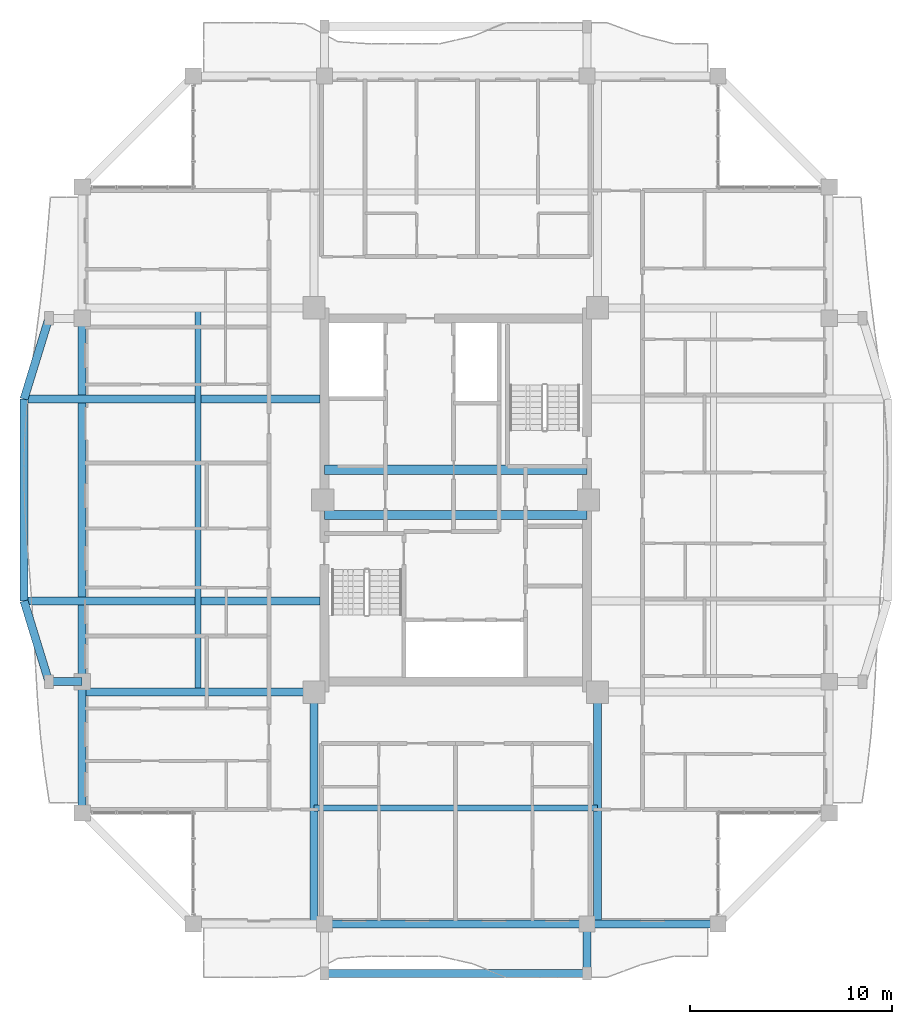
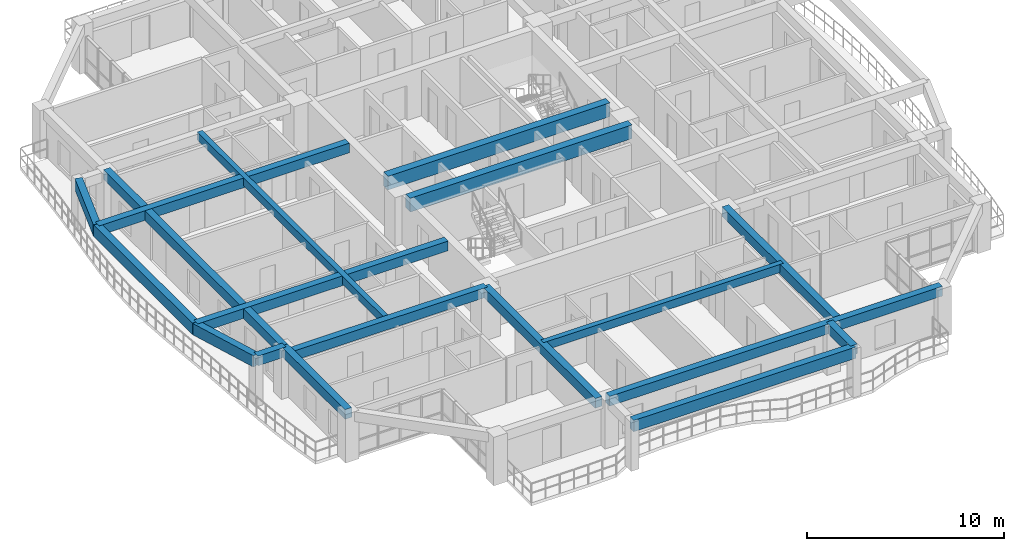
# One storey, part 3 of 22: 19 beams.
"""IFC4 building model written with IfcOpenShell, lengths in metres."""

import ifcopenshell
import ifcopenshell.guid

model = None  # the IFC model being written
_history = None  # IfcOwnerHistory: only IFC2X3 demands one
_inside = {}  # id of a spatial element -> (the spatial element, [elements in it])
_under = {}  # id of a project, library or spatial element -> (it, [spatial elements below it])
_declared = {}  # id of a project -> (the project, [libraries it declares])
_typed = {}  # id of a type object -> (the type object, [elements of that type])
_made_of = {}  # id of a material, layer set ... -> (it, [elements and type objects made of it])


def new_model(schema):
    """Start an empty IFC model of exactly this schema.

    Asked for "IFC4X3", IfcOpenShell would pick the latest addendum, in which some entities
    have other attributes; the version numbers below select the first issue.
    IFC2X3 requires an IfcOwnerHistory on every rooted entity: one is made here for all.
    """
    global model, _history
    if schema == "IFC4X3":
        model = ifcopenshell.file(schema_version=(4, 3, 0, 0))
    else:
        model = ifcopenshell.file(schema=schema)
    _inside.clear()
    _under.clear()
    _declared.clear()
    _typed.clear()
    _made_of.clear()
    _history = None
    if model.schema == "IFC2X3":
        org = make("IfcOrganization", Name="unknown")
        user = make(
            "IfcPersonAndOrganization",
            ThePerson=make("IfcPerson", FamilyName="unknown"),
            TheOrganization=org,
        )
        app = make(
            "IfcApplication",
            ApplicationDeveloper=org,
            Version="unknown",
            ApplicationFullName="unknown",
            ApplicationIdentifier="unknown",
        )
        _history = make(
            "IfcOwnerHistory",
            OwningUser=user,
            OwningApplication=app,
            ChangeAction="ADDED",
            CreationDate=0,
        )
    return model


def make(cls, **values):
    """One entity of the class cls with the attributes given. An attribute that is None is left unset."""
    return model.create_entity(
        cls, **{name: value for name, value in values.items() if value is not None}
    )


def rooted(cls, **values):
    """An entity with a GlobalId (a new one), such as an element, a storey or a relation."""
    return make(cls, GlobalId=ifcopenshell.guid.new(), OwnerHistory=_history, **values)


def si_unit(unit_type, name, prefix=None):
    """IfcSIUnit, for example si_unit("LENGTHUNIT", "METRE", prefix="MILLI")."""
    return make("IfcSIUnit", UnitType=unit_type, Prefix=prefix, Name=name)


def assignment(units):
    """IfcUnitAssignment: the units of a project."""
    return None if units is None else make("IfcUnitAssignment", Units=units)


def point(xyz):
    """IfcCartesianPoint."""
    return None if xyz is None else make("IfcCartesianPoint", Coordinates=xyz)


def direction(xyz):
    """IfcDirection."""
    return None if xyz is None else make("IfcDirection", DirectionRatios=xyz)


def frame(location, z_axis=None, x_axis=None):
    """IfcAxis2Placement3D, a coordinate frame: its origin and axes. An axis left out is left unset."""
    return make(
        "IfcAxis2Placement3D",
        Location=point(location),
        Axis=direction(z_axis),
        RefDirection=direction(x_axis),
    )


def frame_2d(location, x_axis=None):
    """IfcAxis2Placement2D, a coordinate frame in the plane: its origin and x axis."""
    return make(
        "IfcAxis2Placement2D", Location=point(location), RefDirection=direction(x_axis)
    )


def origin():
    """The frame at (0, 0, 0) with its axes left unset."""
    return frame((0.0, 0.0, 0.0))


def origin_2d():
    """The frame at (0, 0) in the plane with its x axis left unset."""
    return frame_2d((0.0, 0.0))


def place(relative_to, where):
    """IfcLocalPlacement: puts the frame where relative to a parent placement (None: the world)."""
    return make(
        "IfcLocalPlacement", PlacementRelTo=relative_to, RelativePlacement=where
    )


def context(
    kind, dimensions, precision=None, world=None, true_north=None, identifier=None
):
    """IfcGeometricRepresentationContext, for example the 3D "Model" context."""
    return make(
        "IfcGeometricRepresentationContext",
        ContextIdentifier=identifier,
        ContextType=kind,
        CoordinateSpaceDimension=dimensions,
        Precision=precision,
        WorldCoordinateSystem=world,
        TrueNorth=true_north,
    )


def subcontext(parent, identifier, kind, view, scale=None):
    """IfcGeometricRepresentationSubContext, for example "Body" below "Model"."""
    return make(
        "IfcGeometricRepresentationSubContext",
        ContextIdentifier=identifier,
        ContextType=kind,
        ParentContext=parent,
        TargetScale=scale,
        TargetView=view,
    )


def project(units=None, contexts=None):
    """IfcProject with its units and contexts."""
    return rooted(
        "IfcProject",
        Name="project",
        RepresentationContexts=contexts,
        UnitsInContext=assignment(units),
    )


def spatial(cls, under=None, at=None, **own):
    """A site, building, storey or space (cls), placed at a placement, below another one or the project."""
    s = rooted(cls, ObjectPlacement=at, **own)
    if under is not None:
        _under.setdefault(under.id(), (under, []))[1].append(s)
    return s


def profile(cls, at=None, kind="AREA", **sizes):
    """A parametric profile (cls). Its sizes go by their IFC names, for example OverallWidth=200.0."""
    return make(cls, ProfileType=kind, Position=at, **sizes)


def rectangle(**sizes):
    """IfcRectangleProfileDef."""
    return profile("IfcRectangleProfileDef", **sizes)


def extrude(swept, where, along, depth):
    """IfcExtrudedAreaSolid: the profile swept, set in the frame where, extruded along a direction by depth."""
    return make(
        "IfcExtrudedAreaSolid",
        SweptArea=swept,
        Position=where,
        ExtrudedDirection=direction(along),
        Depth=depth,
    )


def shape(context_of_items, identifier, shape_type, items):
    """IfcShapeRepresentation: the items that make up one representation, for example the "Body"."""
    return make(
        "IfcShapeRepresentation",
        ContextOfItems=context_of_items,
        RepresentationIdentifier=identifier,
        RepresentationType=shape_type,
        Items=items,
    )


def source(mapping_origin, context_of_items, identifier, shape_type, items):
    """IfcRepresentationMap: a shape defined once, which mapped items show again and again."""
    return make(
        "IfcRepresentationMap",
        MappingOrigin=mapping_origin,
        MappedRepresentation=shape(context_of_items, identifier, shape_type, items),
    )


def transform(
    local_origin,
    x_axis=None,
    y_axis=None,
    z_axis=None,
    scale=None,
    scale2=None,
    scale3=None,
    uniform=True,
):
    """IfcCartesianTransformationOperator3D, or its non-uniform kind. x_axis, y_axis, z_axis: its Axis1, 2, 3."""
    if uniform:
        return make(
            "IfcCartesianTransformationOperator3D",
            Axis1=direction(x_axis),
            Axis2=direction(y_axis),
            LocalOrigin=point(local_origin),
            Scale=scale,
            Axis3=direction(z_axis),
        )
    return make(
        "IfcCartesianTransformationOperator3DnonUniform",
        Axis1=direction(x_axis),
        Axis2=direction(y_axis),
        LocalOrigin=point(local_origin),
        Scale=scale,
        Axis3=direction(z_axis),
        Scale2=scale2,
        Scale3=scale3,
    )


def mapped(mapping_source, mapping_target):
    """IfcMappedItem: shows the shape of a source again, moved by a transform."""
    return make(
        "IfcMappedItem", MappingSource=mapping_source, MappingTarget=mapping_target
    )


def material(Name=None, Category=None):
    """IfcMaterial."""
    return make("IfcMaterial", Name=Name, Category=Category)


def material_profile(
    of_material, cross_section, Name=None, Category=None, Priority=None
):
    """IfcMaterialProfile: a cross section and its material."""
    return make(
        "IfcMaterialProfile",
        Name=Name,
        Material=of_material,
        Profile=cross_section,
        Priority=Priority,
        Category=Category,
    )


def profile_set(profiles, Name=None, composite=None):
    """IfcMaterialProfileSet."""
    return make(
        "IfcMaterialProfileSet",
        Name=Name,
        MaterialProfiles=profiles,
        CompositeProfile=composite,
    )


def made_of(thing, what):
    """Note that an element or type object is made of a material, layer set ...; save() writes the relation."""
    if what is not None:
        _made_of.setdefault(what.id(), (what, []))[1].append(thing)
    return thing


def type_object(cls, material=None, **own):
    """A type object (cls), such as IfcWallType, which elements share."""
    return made_of(rooted(cls, **own), material)


def element(
    cls,
    number,
    at=None,
    inside=None,
    cuts=None,
    type_object=None,
    material=None,
    context=None,
    identifier="Body",
    shape_type=None,
    held_by="IfcProductDefinitionShape",
    body=None,
    shapes=None,
    **own,
):
    """One element of the class cls, such as IfcWall. Its Tag is "e" and its number.

    at: its placement. inside: the storey or other place that contains it. cuts: it is an
    opening in that element (IfcRelVoidsElement). A single representation is given by context,
    identifier, shape_type and body (its items); several are given by shapes. held_by: the class
    of the entity that holds the representations. save() writes the other relations.
    """
    e = rooted(cls, Tag="e%d" % number, ObjectPlacement=at, **own)
    if body is not None:
        shapes = [shape(context, identifier, shape_type, body)]
    if shapes is not None:
        e.Representation = make(held_by, Representations=shapes)
    if inside is not None:
        _inside.setdefault(inside.id(), (inside, []))[1].append(e)
    if cuts is not None:
        rooted(
            "IfcRelVoidsElement", RelatingBuildingElement=cuts, RelatedOpeningElement=e
        )
    if type_object is not None:
        _typed.setdefault(type_object.id(), (type_object, []))[1].append(e)
    return made_of(e, material)


def aggregate(whole, parts):
    """IfcRelAggregates: a whole, such as a stair, and the parts it consists of."""
    return rooted("IfcRelAggregates", RelatingObject=whole, RelatedObjects=parts)


def save(model, path):
    """Write the relations noted so far, then the file.

    IfcRelAggregates (storeys below a building ...), IfcRelContainedInSpatialStructure (elements
    in a storey), IfcRelDefinesByType, IfcRelAssociatesMaterial and IfcRelDeclares: one each for
    every whole, place, type object, material and project.
    """
    for whole, parts in _under.values():
        aggregate(whole, parts)
    for where, things in _inside.values():
        rooted(
            "IfcRelContainedInSpatialStructure",
            RelatedElements=things,
            RelatingStructure=where,
        )
    for kind, things in _typed.values():
        rooted("IfcRelDefinesByType", RelatedObjects=things, RelatingType=kind)
    for what, things in _made_of.values():
        rooted("IfcRelAssociatesMaterial", RelatedObjects=things, RelatingMaterial=what)
    for by, libraries in _declared.values():
        rooted("IfcRelDeclares", RelatingContext=by, RelatedDefinitions=libraries)
    model.write(path)


model = new_model("IFC4")

# Units and contexts
model_context = context("Model", 3, precision=1e-05, world=origin(), true_north=direction((0.0, 1.0)))
body_context = subcontext(model_context, "Body", "Model", "MODEL_VIEW")
ifc_project = project(units=[si_unit("LENGTHUNIT", "METRE"), si_unit("AREAUNIT", "SQUARE_METRE"), si_unit("VOLUMEUNIT", "CUBIC_METRE"), si_unit("PLANEANGLEUNIT", "RADIAN"), si_unit("MASSUNIT", "GRAM", prefix="KILO")], contexts=[model_context])

# Site, building, storey
site_placement = place(None, origin())
site = spatial("IfcSite", under=ifc_project, at=site_placement, CompositionType="ELEMENT")
building_placement = place(site_placement, origin())
building = spatial("IfcBuilding", under=site, at=building_placement, Name="Saelheon Loggia Tower", CompositionType="ELEMENT")
storey_placement = place(building_placement, frame((0.0, 0.0, 196.60009765625)))
storey = spatial("IfcBuildingStorey", under=building, at=storey_placement, Name="L61", CompositionType="ELEMENT", Elevation=196.60009765625)

# Beams
ifc_material_1 = material(Name="Concrete C50/60", Category="concrete")
ifc_material_profile_1 = material_profile(ifc_material_1, rectangle(XDim=0.449951171875, YDim=0.85009765625, at=origin_2d()), Name="RC-450x850")
ifc_profile_set_1 = profile_set([ifc_material_profile_1], Name="Concrete C50/60")
beam_type_1 = type_object("IfcBeamType", Name="Beam_CoreLintel_RC450x850", PredefinedType="LINTEL", material=ifc_profile_set_1)
shared_shape_1 = source(origin(), body_context, "Body", "SweptSolid", [
    extrude(rectangle(XDim=0.449951171875, YDim=0.85009765625, at=origin_2d()), origin(), (0.0, 0.0, 1.0), 13.0),
])
for number, where, z_axis, x_axis, name in (
    (1, (31.5, 26.25, 2.574951171875), (1.0, 0.0, 0.0), (0.0, 1.0, 0.0), "L61 Core Coupling Lintel 1"),
    (2, (31.5, 28.5, 2.574951171875), (1.0, 0.0, 0.0), (0.0, 1.0, 0.0), "L61 Core Coupling Lintel 2"),
):
    element("IfcBeam", number, at=place(storey_placement, frame(where, z_axis=z_axis, x_axis=x_axis)), inside=storey, type_object=beam_type_1, Name=name, PredefinedType="LINTEL", context=body_context, shape_type="MappedRepresentation", body=[
        mapped(shared_shape_1, transform((0.0, 0.0, 0.0), scale=1.0)),
    ])
ifc_material_2 = material(Name="Precast Concrete C45/55", Category="concrete")
ifc_material_profile_2 = material_profile(ifc_material_2, rectangle(XDim=0.39990234375, YDim=0.60009765625, at=origin_2d()), Name="RC-400x600")
ifc_profile_set_2 = profile_set([ifc_material_profile_2], Name="Precast Concrete C45/55")
beam_type_2 = type_object("IfcBeamType", Name="Beam_LoggiaTie_RC400x600", PredefinedType="BEAM", material=ifc_profile_set_2)
shared_shape_2 = source(origin(), body_context, "Body", "SweptSolid", [
    extrude(rectangle(XDim=0.39990234375, YDim=0.60009765625, at=origin_2d()), origin(), (0.0, 0.0, 1.0), 2.449951171875),
])
beam_1_placement = place(storey_placement, frame((44.5, 6.0, 2.699951171875), z_axis=(0.0, -1.0, 0.0), x_axis=(1.0, 0.0, 0.0)))
element("IfcBeam", 3, at=beam_1_placement, inside=storey, type_object=beam_type_2, Name="L61 Loggia Frame Tie Beam LP-S2", PredefinedType="BEAM", context=body_context, shape_type="MappedRepresentation", body=[
    mapped(shared_shape_2, transform((0.0, 0.0, 0.0), scale=1.0)),
])
ifc_material_3 = material(Name="Concrete C40/50", Category="concrete")
ifc_material_profile_3 = material_profile(ifc_material_3, rectangle(XDim=0.300048828125, YDim=0.5, at=origin_2d()), Name="RC-300x500")
ifc_profile_set_3 = profile_set([ifc_material_profile_3], Name="Concrete C40/50")
beam_type_3 = type_object("IfcBeamType", Name="Beam_Joist_RC300x500", PredefinedType="JOIST", material=ifc_profile_set_3)
shared_shape_3 = source(origin(), body_context, "Body", "SweptSolid", [
    extrude(rectangle(XDim=0.300048828125, YDim=0.5, at=origin_2d()), origin(), (0.0, 0.0, 1.0), 14.0400390625),
])
beam_2_placement = place(storey_placement, frame((30.97998046875, 11.739990234375, 2.75), z_axis=(1.0, 0.0, 0.0), x_axis=(0.0, 1.0, 0.0)))
element("IfcBeam", 4, at=beam_2_placement, inside=storey, type_object=beam_type_3, Name="L61 South Floor Joist", PredefinedType="JOIST", context=body_context, shape_type="MappedRepresentation", body=[
    mapped(shared_shape_3, transform((0.0, 0.0, 0.0), scale=1.0)),
])
shared_shape_4 = source(origin(), body_context, "Body", "SweptSolid", [
    extrude(rectangle(XDim=0.300048828125, YDim=0.5, at=origin_2d()), origin(), (0.0, 0.0, 1.0), 19.0400390625),
])
beam_3_placement = place(storey_placement, frame((25.239990234375, 17.47998046875, 2.75), z_axis=(0.0, 1.0, 0.0), x_axis=(-1.0, 0.0, 0.0)))
element("IfcBeam", 5, at=beam_3_placement, inside=storey, type_object=beam_type_3, Name="L61 West Floor Joist", PredefinedType="JOIST", context=body_context, shape_type="MappedRepresentation", body=[
    mapped(shared_shape_4, transform((0.0, 0.0, 0.0), scale=1.0)),
])
shared_shape_5 = source(origin(), body_context, "Body", "SweptSolid", [
    extrude(rectangle(XDim=0.39990234375, YDim=0.60009765625, at=origin_2d()), origin(), (0.0, 0.0, 1.0), 1.64990234375),
])
beam_4_placement = place(storey_placement, frame((19.5, 18.0, 2.699951171875), z_axis=(-1.0, 0.0, 0.0), x_axis=(0.0, -1.0, 0.0)))
element("IfcBeam", 6, at=beam_4_placement, inside=storey, type_object=beam_type_2, Name="L61 Loggia Frame Tie Beam LP-W1", PredefinedType="BEAM", context=body_context, shape_type="MappedRepresentation", body=[
    mapped(shared_shape_5, transform((0.0, 0.0, 0.0), scale=1.0)),
])
ifc_material_profile_4 = material_profile(ifc_material_2, rectangle(XDim=0.39990234375, YDim=0.699951171875, at=origin_2d()), Name="RC-400x700")
ifc_profile_set_4 = profile_set([ifc_material_profile_4], Name="Precast Concrete C45/55")
beam_type_4 = type_object("IfcBeamType", Name="Beam_LoggiaSpandrel_RC400x700", PredefinedType="SPANDREL", material=ifc_profile_set_4)
shared_shape_6 = source(origin(), body_context, "Body", "SweptSolid", [
    extrude(rectangle(XDim=0.39990234375, YDim=0.699951171875, at=origin_2d()), origin(), (0.0, 0.0, 1.0), 13.0),
])
beam_5_placement = place(storey_placement, frame((31.5, 3.550048828125, 2.64990234375), z_axis=(1.0, 0.0, 0.0), x_axis=(0.0, 1.0, 0.0)))
element("IfcBeam", 7, at=beam_5_placement, inside=storey, type_object=beam_type_4, Name="L61 Loggia Spandrel Beam S", PredefinedType="SPANDREL", context=body_context, shape_type="MappedRepresentation", body=[
    mapped(shared_shape_6, transform((0.0, 0.0, 0.0), scale=1.0)),
])
shared_shape_7 = source(origin(), body_context, "Body", "SweptSolid", [
    extrude(rectangle(XDim=0.39990234375, YDim=0.699951171875, at=origin_2d()), origin(), (0.0, 0.0, 1.0), 4.184814453125),
])
for number, where, z_axis, x_axis, name in (
    (8, (17.85009765625, 18.0, 2.64990234375), (-0.293913664135, 0.955831971653, 0.0), (-0.955831971653, -0.293913664135, 0.0), "L61 Curved Loggia Spandrel W 1"),
    (9, (16.6201171875, 32.0, 2.64990234375), (0.293913664135, 0.955831971653, 0.0), (-0.955831971653, 0.293913664135, 0.0), "L61 Curved Loggia Spandrel W 3"),
):
    element("IfcBeam", number, at=place(storey_placement, frame(where, z_axis=z_axis, x_axis=x_axis)), inside=storey, type_object=beam_type_4, Name=name, PredefinedType="SPANDREL", context=body_context, shape_type="MappedRepresentation", body=[
        mapped(shared_shape_7, transform((0.0, 0.0, 0.0), scale=1.0)),
    ])
shared_shape_8 = source(origin(), body_context, "Body", "SweptSolid", [
    extrude(rectangle(XDim=0.39990234375, YDim=0.699951171875, at=origin_2d()), origin(), (0.0, 0.0, 1.0), 10.0),
])
beam_6_placement = place(storey_placement, frame((16.6201171875, 22.0, 2.64990234375), z_axis=(0.0, 1.0, 0.0), x_axis=(-1.0, 0.0, 0.0)))
element("IfcBeam", 10, at=beam_6_placement, inside=storey, type_object=beam_type_4, Name="L61 Curved Loggia Spandrel W 2", PredefinedType="SPANDREL", context=body_context, shape_type="MappedRepresentation", body=[
    mapped(shared_shape_8, transform((0.0, 0.0, 0.0), scale=1.0)),
])
ifc_material_profile_5 = material_profile(ifc_material_3, rectangle(XDim=0.39990234375, YDim=0.60009765625, at=origin_2d()), Name="RC-400x600")
ifc_profile_set_5 = profile_set([ifc_material_profile_5], Name="Concrete C40/50")
beam_type_5 = type_object("IfcBeamType", Name="Beam_PerimUpper_RC400x600", PredefinedType="BEAM", material=ifc_profile_set_5)
shared_shape_9 = source(origin(), body_context, "Body", "SweptSolid", [
    extrude(rectangle(XDim=0.39990234375, YDim=0.60009765625, at=origin_2d()), origin(), (0.0, 0.0, 1.0), 13.0),
])
beam_7_placement = place(storey_placement, frame((31.5, 6.0, 2.699951171875), z_axis=(1.0, 0.0, 0.0), x_axis=(0.0, 1.0, 0.0)))
element("IfcBeam", 11, at=beam_7_placement, inside=storey, type_object=beam_type_5, Name="L61 Perimeter Frame Girder 02", PredefinedType="BEAM", context=body_context, shape_type="MappedRepresentation", body=[
    mapped(shared_shape_9, transform((0.0, 0.0, 0.0), scale=1.0)),
])
shared_shape_10 = source(origin(), body_context, "Body", "SweptSolid", [
    extrude(rectangle(XDim=0.39990234375, YDim=0.60009765625, at=origin_2d()), origin(), (0.0, 0.0, 1.0), 18.0),
])
beam_8_placement = place(storey_placement, frame((19.5, 36.0, 2.699951171875), z_axis=(0.0, -1.0, 0.0), x_axis=(1.0, 0.0, 0.0)))
element("IfcBeam", 12, at=beam_8_placement, inside=storey, type_object=beam_type_5, Name="L61 Perimeter Frame Girder 14", PredefinedType="BEAM", context=body_context, shape_type="MappedRepresentation", body=[
    mapped(shared_shape_10, transform((0.0, 0.0, 0.0), scale=1.0)),
])
ifc_material_profile_6 = material_profile(ifc_material_3, rectangle(XDim=0.39990234375, YDim=0.60009765625, at=origin_2d()), Name="RC-400x600")
ifc_profile_set_6 = profile_set([ifc_material_profile_6], Name="Concrete C40/50")
beam_type_6 = type_object("IfcBeamType", Name="Beam_UpperGirder_RC400x600", PredefinedType="BEAM", material=ifc_profile_set_6)
shared_shape_11 = source(origin(), body_context, "Body", "SweptSolid", [
    extrude(rectangle(XDim=0.39990234375, YDim=0.60009765625, at=origin_2d()), origin(), (0.0, 0.0, 1.0), 11.47998046875),
])
for number, where, z_axis, x_axis, name in (
    (13, (30.97998046875, 17.47998046875, 2.699951171875), (0.0, -1.0, 0.0), (1.0, 0.0, 0.0), "L61 Radial Floor Girder RAD-SW-S"),
    (14, (45.02001953125, 17.47998046875, 2.699951171875), (0.0, -1.0, 0.0), (1.0, 0.0, 0.0), "L61 Radial Floor Girder RAD-SE-S"),
    (15, (30.97998046875, 17.47998046875, 2.699951171875), (-1.0, 0.0, 0.0), (0.0, -1.0, 0.0), "L61 Radial Floor Girder RAD-SW-W"),
):
    element("IfcBeam", number, at=place(storey_placement, frame(where, z_axis=z_axis, x_axis=x_axis)), inside=storey, type_object=beam_type_6, Name=name, PredefinedType="BEAM", context=body_context, shape_type="MappedRepresentation", body=[
        mapped(shared_shape_11, transform((0.0, 0.0, 0.0), scale=1.0)),
    ])
shared_shape_12 = source(origin(), body_context, "Body", "SweptSolid", [
    extrude(rectangle(XDim=0.39990234375, YDim=0.60009765625, at=origin_2d()), origin(), (0.0, 0.0, 1.0), 6.5),
])
for number, where, z_axis, x_axis, name in (
    (16, (44.5, 6.0, 2.699951171875), (1.0, 0.0, 0.0), (0.0, 1.0, 0.0), "L61 Perimeter Frame Girder 03"),
    (17, (19.5, 18.0, 2.699951171875), (0.0, -1.0, 0.0), (1.0, 0.0, 0.0), "L61 Perimeter Frame Girder 15"),
):
    element("IfcBeam", number, at=place(storey_placement, frame(where, z_axis=z_axis, x_axis=x_axis)), inside=storey, type_object=beam_type_5, Name=name, PredefinedType="BEAM", context=body_context, shape_type="MappedRepresentation", body=[
        mapped(shared_shape_12, transform((0.0, 0.0, 0.0), scale=1.0)),
    ])
shared_shape_13 = source(origin(), body_context, "Body", "SweptSolid", [
    extrude(rectangle(XDim=0.39990234375, YDim=0.60009765625, at=origin_2d()), origin(), (0.0, 0.0, 1.0), 14.659912109375),
])
for number, where, z_axis, x_axis, name in (
    (18, (31.280029296875, 22.0, 2.699951171875), (-1.0, 0.0, 0.0), (0.0, -1.0, 0.0), "L61 Curved Facade Outrigger Beam W 1"),
    (19, (31.280029296875, 32.0, 2.699951171875), (-1.0, 0.0, 0.0), (0.0, -1.0, 0.0), "L61 Curved Facade Outrigger Beam W 2"),
):
    element("IfcBeam", number, at=place(storey_placement, frame(where, z_axis=z_axis, x_axis=x_axis)), inside=storey, type_object=beam_type_2, Name=name, PredefinedType="BEAM", context=body_context, shape_type="MappedRepresentation", body=[
        mapped(shared_shape_13, transform((0.0, 0.0, 0.0), scale=1.0)),
    ])

save(model, "model.ifc")
